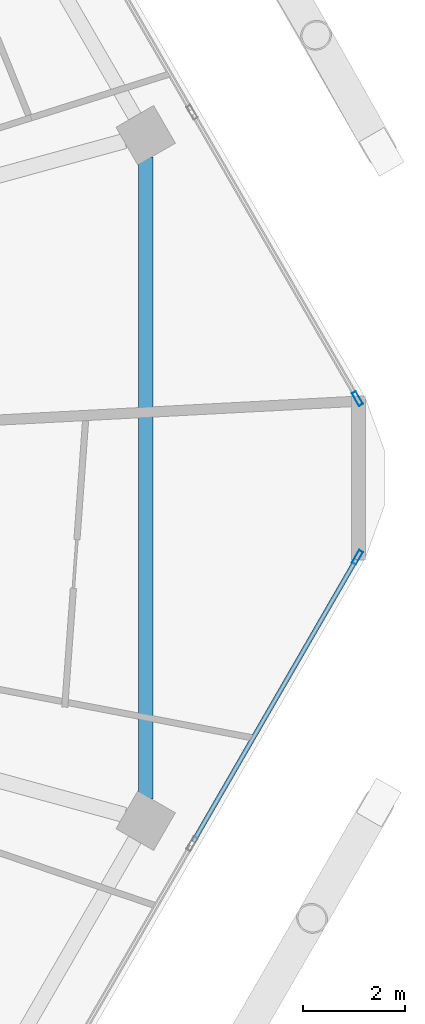
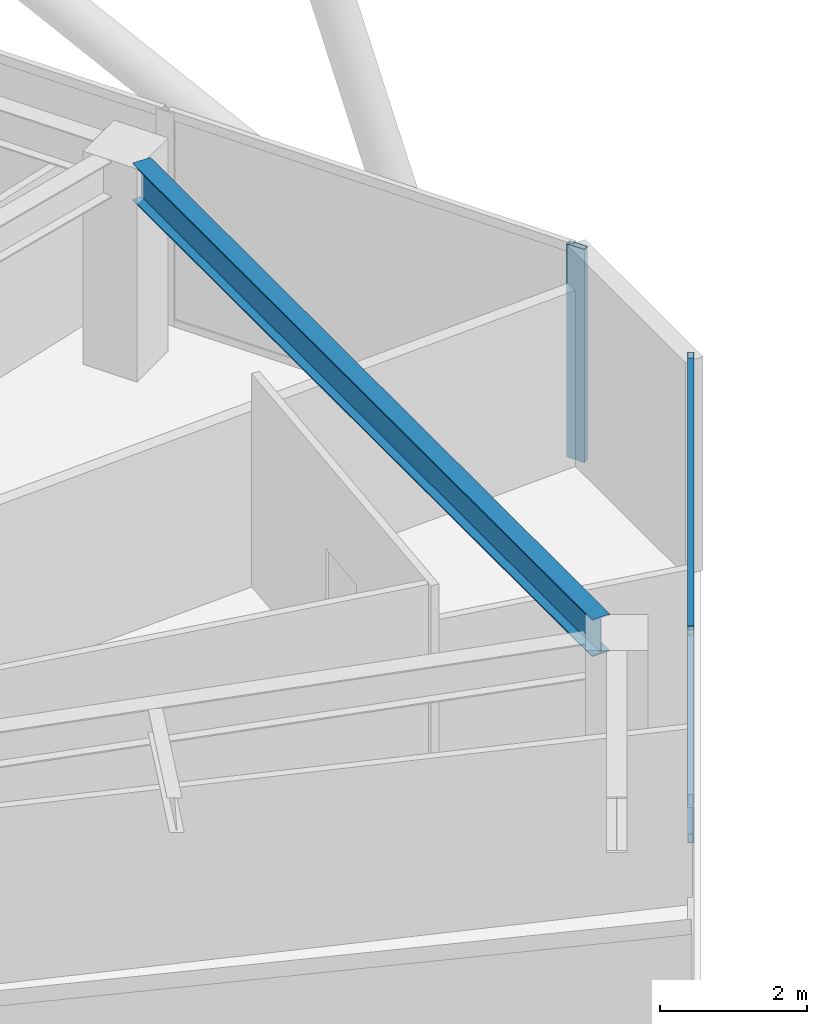
# One storey, part 11 of 27: 4 members, 1 beam, 2 elements without a shape of their own.
"""IFC4 building model written with IfcOpenShell, lengths in metres."""

from ifc_helpers import new_model, si_unit, direction, frame, origin, origin_2d, place, context, subcontext, project, spatial, hollow_rectangle, i_section, extrude, material, material_profile, profile_set, type_object, element, aggregate, save


model = new_model("IFC4")

# Units and contexts
model_context = context("Model", 3, precision=1e-05, world=origin(), true_north=direction((0.0, 1.0)))
body_context = subcontext(model_context, "Body", "Model", "MODEL_VIEW")
ifc_project = project(units=[si_unit("LENGTHUNIT", "METRE"), si_unit("AREAUNIT", "SQUARE_METRE"), si_unit("VOLUMEUNIT", "CUBIC_METRE"), si_unit("PLANEANGLEUNIT", "RADIAN"), si_unit("MASSUNIT", "GRAM", prefix="KILO")], contexts=[model_context])

# Site, building, storey
site_placement = place(None, origin())
site = spatial("IfcSite", under=ifc_project, at=site_placement, CompositionType="ELEMENT")
building_placement = place(site_placement, origin())
building = spatial("IfcBuilding", under=site, at=building_placement, Name="Zuhravey Tower", CompositionType="ELEMENT")
storey_placement = place(building_placement, frame((0.0, 0.0, 276.800048828125)))
storey = spatial("IfcBuildingStorey", under=building, at=storey_placement, Name="L70", CompositionType="ELEMENT", Elevation=276.800048828125)

# Curtain wall, member
ifc_material_1 = material(Name="Thermally broken anodised aluminium", Category="aluminium")
curtain_wall_type = type_object("IfcCurtainWallType", Name="Zone 3-4 High-Rise Curtain Wall CW4", PredefinedType="NOTDEFINED", material=ifc_material_1)
curtain_wall_1_placement = place(storey_placement, origin())
curtain_wall_1 = element("IfcCurtainWall", 1, at=curtain_wall_1_placement, inside=storey, type_object=curtain_wall_type, Name="L70 CW4 CW-L70-F6-1", PredefinedType="NOTDEFINED")
ifc_material_2 = material(Name="Anodised aluminium", Category="aluminium")
ifc_material_profile_1 = material_profile(ifc_material_2, hollow_rectangle(XDim=0.090087890625, YDim=0.284912109375, WallThickness=0.0048828125, at=origin_2d()), Name="ALU-RHS-90x285x5")
ifc_profile_set_1 = profile_set([ifc_material_profile_1], Name="Anodised aluminium")
member_type_1 = type_object("IfcMemberType", Name="Curtain-Wall Mullion 90x180", PredefinedType="MULLION", material=ifc_profile_set_1)
member_1_placement = place(storey_placement, frame((64.62255859375, 30.448486328125, 0.0), z_axis=(0.0, 0.0, 1.0), x_axis=(0.866024851021, -0.500000957414, 0.0)))
member_1 = element("IfcMember", 2, at=member_1_placement, type_object=member_type_1, Name="CW4 mullion 1", PredefinedType="MULLION", context=body_context, shape_type="SweptSolid", body=[
    extrude(hollow_rectangle(XDim=0.090087890625, YDim=0.284912109375, WallThickness=0.0048828125, at=origin_2d()), origin(), (0.0, 0.0, 1.0), 3.550048828125),
])

curtain_wall_2_placement = place(storey_placement, origin())
curtain_wall_2 = element("IfcCurtainWall", 3, at=curtain_wall_2_placement, inside=storey, type_object=curtain_wall_type, Name="L70 CW4 CW-L70-F1-1", PredefinedType="NOTDEFINED")
member_2_placement = place(storey_placement, frame((64.62255859375, 33.551513671875, 0.0), z_axis=(0.0, 0.0, 1.0), x_axis=(0.866024851021, 0.500000957414, 0.0)))
member_2 = element("IfcMember", 4, at=member_2_placement, type_object=member_type_1, Name="CW4 mullion 5", PredefinedType="MULLION", context=body_context, shape_type="SweptSolid", body=[
    extrude(hollow_rectangle(XDim=0.090087890625, YDim=0.284912109375, WallThickness=0.0048828125, at=origin_2d()), origin(), (0.0, 0.0, 1.0), 3.550048828125),
])
aggregate(curtain_wall_2, [member_2])

# Member
ifc_material_profile_2 = material_profile(ifc_material_2, hollow_rectangle(XDim=0.090087890625, YDim=0.14990234375, WallThickness=0.0048828125, at=origin_2d()), Name="ALU-RHS-90x150x5")
ifc_profile_set_2 = profile_set([ifc_material_profile_2], Name="Anodised aluminium")
member_type_2 = type_object("IfcMemberType", Name="Curtain-Wall Transom 90x150", PredefinedType="USERDEFINED", material=ifc_profile_set_2)
member_3_placement = place(storey_placement, frame((64.60009765625, 30.40966796875, 0.044921875), z_axis=(-0.500008810174, -0.866020317169, 0.0), x_axis=(0.866020317169, -0.500008810174, 0.0)))
member_3 = element("IfcMember", 5, at=member_3_placement, type_object=member_type_2, Name="CW4 transom 1.1", ObjectType="TRANSOM", PredefinedType="USERDEFINED", context=body_context, shape_type="SweptSolid", body=[
    extrude(hollow_rectangle(XDim=0.090087890625, YDim=0.14990234375, WallThickness=0.0048828125, at=origin_2d()), origin(), (0.0, 0.0, 1.0), 6.37158203125),
])

member_4_placement = place(storey_placement, frame((64.60009765625, 30.40966796875, 3.5048828125), z_axis=(-0.500008810174, -0.866020317169, 0.0), x_axis=(0.866020317169, -0.500008810174, 0.0)))
member_4 = element("IfcMember", 6, at=member_4_placement, type_object=member_type_2, Name="CW4 transom 1.2", ObjectType="TRANSOM", PredefinedType="USERDEFINED", context=body_context, shape_type="SweptSolid", body=[
    extrude(hollow_rectangle(XDim=0.090087890625, YDim=0.14990234375, WallThickness=0.0048828125, at=origin_2d()), origin(), (0.0, 0.0, 1.0), 6.37158203125),
])

aggregate(curtain_wall_1, [member_1, member_3, member_4])

# Beam
ifc_material_3 = material(Name="Steel SM355", Category="steel")
ifc_material_profile_3 = material_profile(ifc_material_3, i_section(OverallWidth=0.280029296875, OverallDepth=0.6201171875, WebThickness=0.011962890625, FlangeThickness=0.02001953125, at=origin_2d()), Name="H-620x280x12x20")
ifc_profile_set_3 = profile_set([ifc_material_profile_3], Name="Steel SM355")
beam_type = type_object("IfcBeamType", Name="Perimeter Ring Beam H620x280", PredefinedType="BEAM", material=ifc_profile_set_3)
beam_placement = place(storey_placement, frame((60.484619140625, 25.72900390625, 3.239990234375), z_axis=(0.0, 1.0, 0.0), x_axis=(-1.0, 0.0, 0.0)))
element("IfcBeam", 7, at=beam_placement, inside=storey, type_object=beam_type, Name="L70 PB3 BM-L70-PB-12", PredefinedType="BEAM", context=body_context, shape_type="SweptSolid", body=[
    extrude(i_section(OverallWidth=0.280029296875, OverallDepth=0.6201171875, WebThickness=0.011962890625, FlangeThickness=0.02001953125, at=origin_2d()), origin(), (0.0, 0.0, 1.0), 12.5419921875),
])

save(model, "model.ifc")
